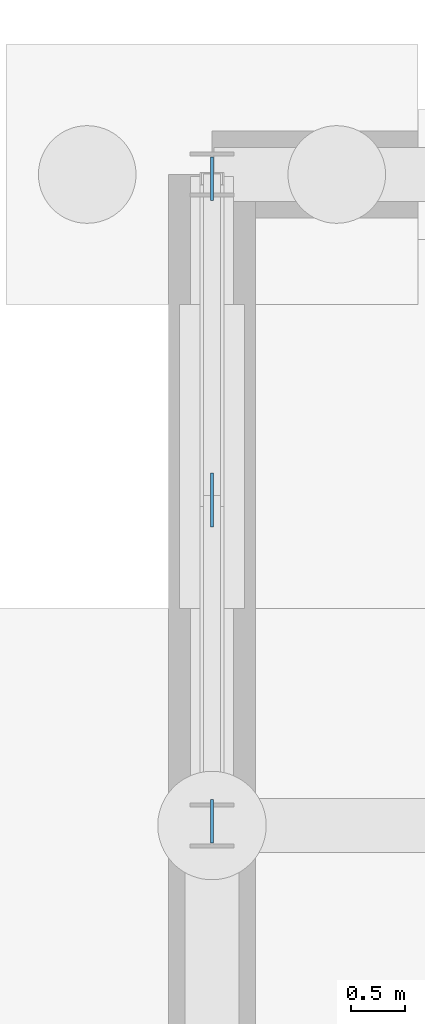
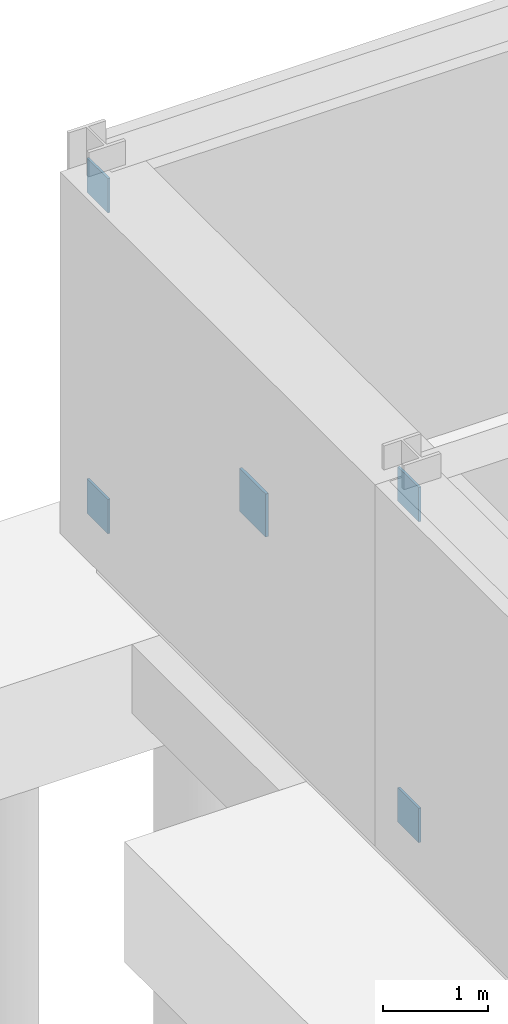
# One storey, part 35 of 41: 5 discrete accessories.
"""IFC4 building model written with IfcOpenShell, lengths in metres."""

from ifc_helpers import new_model, si_unit, direction, frame, origin, origin_2d, place, context, subcontext, project, spatial, rectangle, extrude, material, type_object, element, save


model = new_model("IFC4")

# Units and contexts
model_context = context("Model", 3, precision=1e-05, world=origin(), true_north=direction((0.0, 1.0)))
body_context = subcontext(model_context, "Body", "Model", "MODEL_VIEW")
ifc_project = project(units=[si_unit("LENGTHUNIT", "METRE"), si_unit("AREAUNIT", "SQUARE_METRE"), si_unit("VOLUMEUNIT", "CUBIC_METRE"), si_unit("PLANEANGLEUNIT", "RADIAN"), si_unit("MASSUNIT", "GRAM", prefix="KILO")], contexts=[model_context])

# Site, building, storey
site_placement = place(None, origin())
site = spatial("IfcSite", under=ifc_project, at=site_placement, CompositionType="ELEMENT")
building_placement = place(site_placement, origin())
building = spatial("IfcBuilding", under=site, at=building_placement, Name="Palais des Congres Ocreval", CompositionType="ELEMENT")
storey_placement = place(building_placement, frame((0.0, 0.0, -8.9599609375)))
storey = spatial("IfcBuildingStorey", under=building, at=storey_placement, Name="B2", CompositionType="ELEMENT", Elevation=-8.9599609375)

# Discrete accessories
ifc_material = material(Name="Steel S355", Category="steel")
discrete_accessory_type_1 = type_object("IfcDiscreteAccessoryType", Name="Cast-In Embed Plate PL25 Steel S355", PredefinedType="USERDEFINED", material=ifc_material)
for number, where, z_axis, x_axis, name in (
    (1, (0.0, 108.0400390625, 0.0), (0.0, 0.0, 1.0), (0.0, 1.0, 0.0), "Cast-In Embed Plate EP01"),
    (2, (0.0, 113.9599609375, 3.72998046875), (0.0, 0.0, 1.0), (0.0, 1.0, 0.0), "Cast-In Embed Plate EP01"),
    (3, (0.0, 108.0400390625, 3.72998046875), (0.0, 0.0, 1.0), (0.0, 1.0, 0.0), "Cast-In Embed Plate EP01"),
    (4, (0.0, 113.9599609375, 0.0), (0.0, 0.0, 1.0), (0.0, 1.0, 0.0), "Cast-In Embed Plate EP01"),
):
    element("IfcDiscreteAccessory", number, at=place(storey_placement, frame(where, z_axis=z_axis, x_axis=x_axis)), inside=storey, type_object=discrete_accessory_type_1, Name=name, ObjectType="EMBED PLATE", PredefinedType="USERDEFINED", context=body_context, shape_type="SweptSolid", body=[
        extrude(rectangle(XDim=0.39990234375, YDim=0.02490234375, at=origin_2d()), origin(), (0.0, 0.0, 1.0), 0.39990234375),
    ])
discrete_accessory_type_2 = type_object("IfcDiscreteAccessoryType", Name="X-Brace Node Gusset Plate PL30 Steel S355", PredefinedType="USERDEFINED", material=ifc_material)
discrete_accessory_placement = place(storey_placement, frame((0.0, 111.0, 1.7900390625), z_axis=(0.0, 0.0, 1.0), x_axis=(0.0, 1.0, 0.0)))
element("IfcDiscreteAccessory", 5, at=discrete_accessory_placement, inside=storey, type_object=discrete_accessory_type_2, Name="X-Brace Node Gusset Plate GP01", ObjectType="GUSSET PLATE", PredefinedType="USERDEFINED", context=body_context, shape_type="SweptSolid", body=[
    extrude(rectangle(XDim=0.5, YDim=0.030029296875, at=origin_2d()), origin(), (0.0, 0.0, 1.0), 0.5),
])

save(model, "model.ifc")
